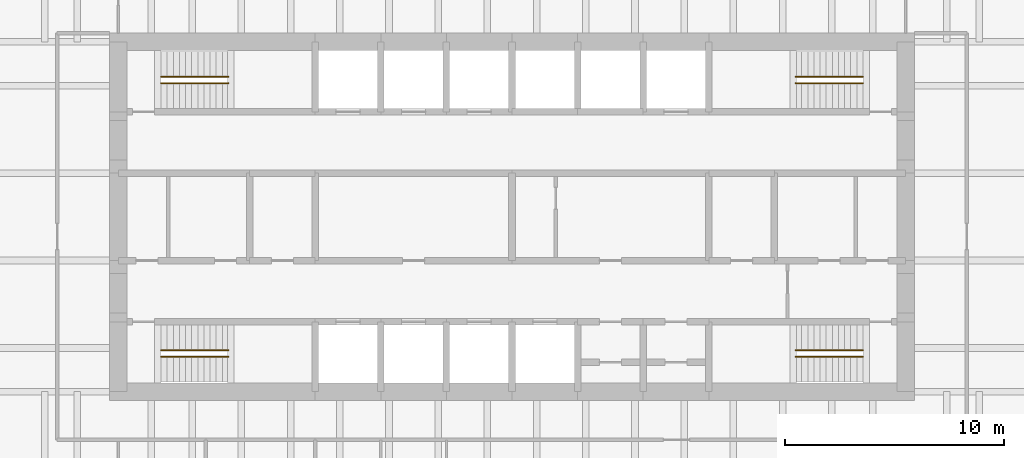
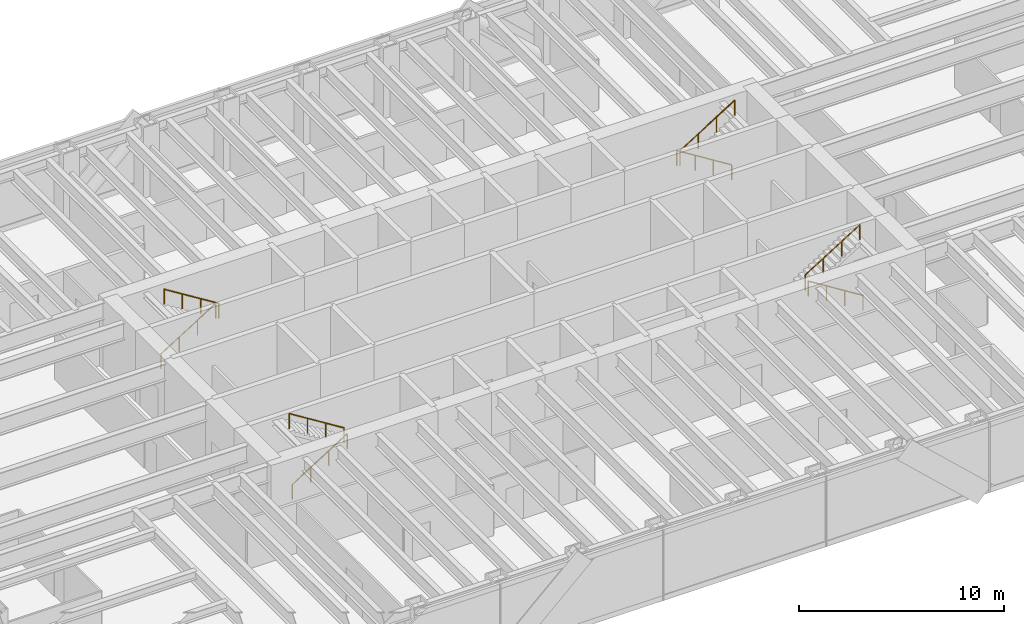
# One storey, part 14 of 14: 8 railings.
"""IFC4 building model written with IfcOpenShell, lengths in metres."""

from ifc_helpers import new_model, si_unit, direction, frame, origin, origin_2d, place, context, subcontext, project, spatial, circle, extrude, material, type_object, element, save


model = new_model("IFC4")

# Units and contexts
model_context = context("Model", 3, precision=1e-05, world=origin(), true_north=direction((0.0, 1.0)))
body_context = subcontext(model_context, "Body", "Model", "MODEL_VIEW")
ifc_project = project(units=[si_unit("LENGTHUNIT", "METRE"), si_unit("AREAUNIT", "SQUARE_METRE"), si_unit("VOLUMEUNIT", "CUBIC_METRE"), si_unit("PLANEANGLEUNIT", "RADIAN"), si_unit("MASSUNIT", "GRAM", prefix="KILO")], contexts=[model_context])

# Site, building, storey
site_placement = place(None, origin())
site = spatial("IfcSite", under=ifc_project, at=site_placement, CompositionType="ELEMENT")
building_placement = place(site_placement, origin())
building = spatial("IfcBuilding", under=site, at=building_placement, Name="Rheinbord Bourse Tower", CompositionType="ELEMENT")
storey_placement = place(building_placement, frame((0.0, 0.0, 232.0)))
storey = spatial("IfcBuildingStorey", under=building, at=storey_placement, Name="L52", CompositionType="ELEMENT", Elevation=232.0)

# Railings
ifc_material = material(Name="Steel handrail", Category="steel")
railing_type = type_object("IfcRailingType", Name="HANDRAIL 900", PredefinedType="HANDRAIL", material=ifc_material)
railing_1_placement = place(storey_placement, frame((19.949951171875, 17.60009765625, 0.175048828125)))
element("IfcRailing", 1, at=railing_1_placement, inside=storey, type_object=railing_type, Name="Handrail", PredefinedType="HANDRAIL", context=body_context, shape_type="SweptSolid", body=[
    extrude(circle(Radius=0.02392578125, at=origin_2d()), frame((0.0, 0.0, 0.8759765625), z_axis=(0.847998304005, 0.0, 0.529998940003), x_axis=(0.0, 1.0, 0.0)), (0.0, 0.0, 1.0), 3.632080078125),
    extrude(circle(Radius=0.02099609375, at=origin_2d()), origin(), (0.0, 0.0, 1.0), 0.851806640625),
    extrude(circle(Radius=0.02099609375, at=origin_2d()), frame((1.026611328125, 0.0, 0.6416015625)), (0.0, 0.0, 1.0), 0.851806640625),
    extrude(circle(Radius=0.02099609375, at=origin_2d()), frame((2.053466796875, 0.0, 1.283447265625)), (0.0, 0.0, 1.0), 0.851806640625),
    extrude(circle(Radius=0.02099609375, at=origin_2d()), frame((3.080078125, 0.0, 1.925048828125)), (0.0, 0.0, 1.0), 0.851806640625),
])
railing_2_placement = place(storey_placement, frame((23.030029296875, 17.89990234375, 2.27490234375)))
element("IfcRailing", 2, at=railing_2_placement, inside=storey, type_object=railing_type, Name="Handrail", PredefinedType="HANDRAIL", context=body_context, shape_type="SweptSolid", body=[
    extrude(circle(Radius=0.02392578125, at=origin_2d()), frame((0.0, 0.0, 0.8759765625), z_axis=(-0.847998304005, 0.0, 0.529998940003), x_axis=(0.0, -1.0, 0.0)), (0.0, 0.0, 1.0), 3.632080078125),
    extrude(circle(Radius=0.02099609375, at=origin_2d()), origin(), (0.0, 0.0, 1.0), 0.851806640625),
    extrude(circle(Radius=0.02099609375, at=origin_2d()), frame((-1.026611328125, 0.0, 0.6416015625)), (0.0, 0.0, 1.0), 0.851806640625),
    extrude(circle(Radius=0.02099609375, at=origin_2d()), frame((-2.053466796875, 0.0, 1.283447265625)), (0.0, 0.0, 1.0), 0.851806640625),
    extrude(circle(Radius=0.02099609375, at=origin_2d()), frame((-3.080078125, 0.0, 1.925048828125)), (0.0, 0.0, 1.0), 0.851806640625),
])
railing_3_placement = place(storey_placement, frame((19.949951171875, 30.39990234375, 0.175048828125)))
element("IfcRailing", 3, at=railing_3_placement, inside=storey, type_object=railing_type, Name="Handrail", PredefinedType="HANDRAIL", context=body_context, shape_type="SweptSolid", body=[
    extrude(circle(Radius=0.02392578125, at=origin_2d()), frame((0.0, 0.0, 0.8759765625), z_axis=(0.847998304005, 0.0, 0.529998940003), x_axis=(0.0, 1.0, 0.0)), (0.0, 0.0, 1.0), 3.632080078125),
    extrude(circle(Radius=0.02099609375, at=origin_2d()), origin(), (0.0, 0.0, 1.0), 0.851806640625),
    extrude(circle(Radius=0.02099609375, at=origin_2d()), frame((1.026611328125, 0.0, 0.6416015625)), (0.0, 0.0, 1.0), 0.851806640625),
    extrude(circle(Radius=0.02099609375, at=origin_2d()), frame((2.053466796875, 0.0, 1.283447265625)), (0.0, 0.0, 1.0), 0.851806640625),
    extrude(circle(Radius=0.02099609375, at=origin_2d()), frame((3.080078125, 0.0, 1.925048828125)), (0.0, 0.0, 1.0), 0.851806640625),
])
for number, where, name in (
    (4, (23.030029296875, 30.10009765625, 2.27490234375), "Handrail"),
    (5, (52.050048828125, 17.60009765625, 0.175048828125), "Handrail"),
):
    element("IfcRailing", number, at=place(storey_placement, frame(where)), inside=storey, type_object=railing_type, Name=name, PredefinedType="HANDRAIL", context=body_context, shape_type="SweptSolid", body=[
        extrude(circle(Radius=0.02392578125, at=origin_2d()), frame((0.0, 0.0, 0.8759765625), z_axis=(-0.847998304005, 0.0, 0.529998940003), x_axis=(0.0, -1.0, 0.0)), (0.0, 0.0, 1.0), 3.632080078125),
        extrude(circle(Radius=0.02099609375, at=origin_2d()), origin(), (0.0, 0.0, 1.0), 0.851806640625),
        extrude(circle(Radius=0.02099609375, at=origin_2d()), frame((-1.026611328125, 0.0, 0.6416015625)), (0.0, 0.0, 1.0), 0.851806640625),
        extrude(circle(Radius=0.02099609375, at=origin_2d()), frame((-2.053466796875, 0.0, 1.283447265625)), (0.0, 0.0, 1.0), 0.851806640625),
        extrude(circle(Radius=0.02099609375, at=origin_2d()), frame((-3.080078125, 0.0, 1.925048828125)), (0.0, 0.0, 1.0), 0.851806640625),
    ])
railing_4_placement = place(storey_placement, frame((48.969970703125, 17.89990234375, 2.27490234375)))
element("IfcRailing", 6, at=railing_4_placement, inside=storey, type_object=railing_type, Name="Handrail", PredefinedType="HANDRAIL", context=body_context, shape_type="SweptSolid", body=[
    extrude(circle(Radius=0.02392578125, at=origin_2d()), frame((0.0, 0.0, 0.8759765625), z_axis=(0.847998304005, 0.0, 0.529998940003), x_axis=(0.0, 1.0, 0.0)), (0.0, 0.0, 1.0), 3.632080078125),
    extrude(circle(Radius=0.02099609375, at=origin_2d()), origin(), (0.0, 0.0, 1.0), 0.851806640625),
    extrude(circle(Radius=0.02099609375, at=origin_2d()), frame((1.026611328125, 0.0, 0.6416015625)), (0.0, 0.0, 1.0), 0.851806640625),
    extrude(circle(Radius=0.02099609375, at=origin_2d()), frame((2.053466796875, 0.0, 1.283447265625)), (0.0, 0.0, 1.0), 0.851806640625),
    extrude(circle(Radius=0.02099609375, at=origin_2d()), frame((3.080078125, 0.0, 1.925048828125)), (0.0, 0.0, 1.0), 0.851806640625),
])
railing_5_placement = place(storey_placement, frame((52.050048828125, 30.39990234375, 0.175048828125)))
element("IfcRailing", 7, at=railing_5_placement, inside=storey, type_object=railing_type, Name="Handrail", PredefinedType="HANDRAIL", context=body_context, shape_type="SweptSolid", body=[
    extrude(circle(Radius=0.02392578125, at=origin_2d()), frame((0.0, 0.0, 0.8759765625), z_axis=(-0.847998304005, 0.0, 0.529998940003), x_axis=(0.0, -1.0, 0.0)), (0.0, 0.0, 1.0), 3.632080078125),
    extrude(circle(Radius=0.02099609375, at=origin_2d()), origin(), (0.0, 0.0, 1.0), 0.851806640625),
    extrude(circle(Radius=0.02099609375, at=origin_2d()), frame((-1.026611328125, 0.0, 0.6416015625)), (0.0, 0.0, 1.0), 0.851806640625),
    extrude(circle(Radius=0.02099609375, at=origin_2d()), frame((-2.053466796875, 0.0, 1.283447265625)), (0.0, 0.0, 1.0), 0.851806640625),
    extrude(circle(Radius=0.02099609375, at=origin_2d()), frame((-3.080078125, 0.0, 1.925048828125)), (0.0, 0.0, 1.0), 0.851806640625),
])
railing_6_placement = place(storey_placement, frame((48.969970703125, 30.10009765625, 2.27490234375)))
element("IfcRailing", 8, at=railing_6_placement, inside=storey, type_object=railing_type, Name="Handrail", PredefinedType="HANDRAIL", context=body_context, shape_type="SweptSolid", body=[
    extrude(circle(Radius=0.02392578125, at=origin_2d()), frame((0.0, 0.0, 0.8759765625), z_axis=(0.847998304005, 0.0, 0.529998940003), x_axis=(0.0, 1.0, 0.0)), (0.0, 0.0, 1.0), 3.632080078125),
    extrude(circle(Radius=0.02099609375, at=origin_2d()), origin(), (0.0, 0.0, 1.0), 0.851806640625),
    extrude(circle(Radius=0.02099609375, at=origin_2d()), frame((1.026611328125, 0.0, 0.6416015625)), (0.0, 0.0, 1.0), 0.851806640625),
    extrude(circle(Radius=0.02099609375, at=origin_2d()), frame((2.053466796875, 0.0, 1.283447265625)), (0.0, 0.0, 1.0), 0.851806640625),
    extrude(circle(Radius=0.02099609375, at=origin_2d()), frame((3.080078125, 0.0, 1.925048828125)), (0.0, 0.0, 1.0), 0.851806640625),
])

save(model, "model.ifc")
